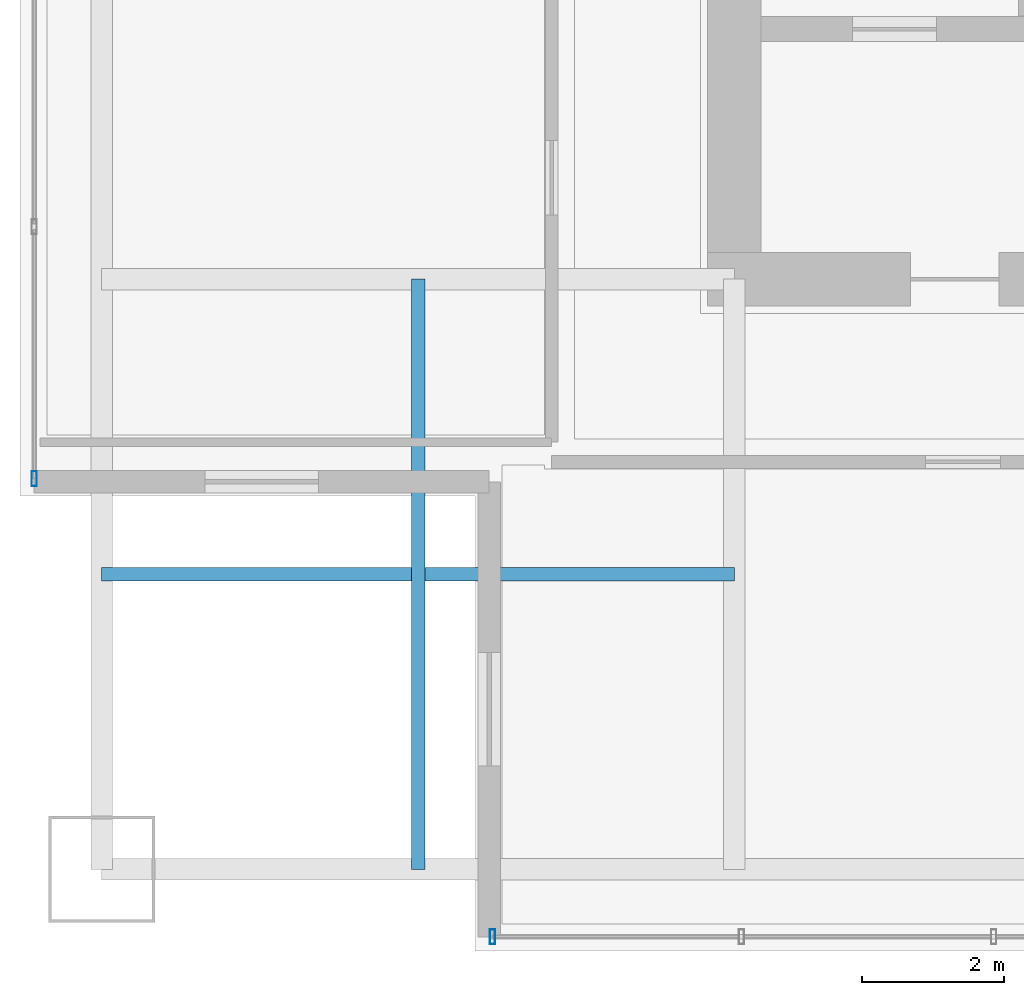
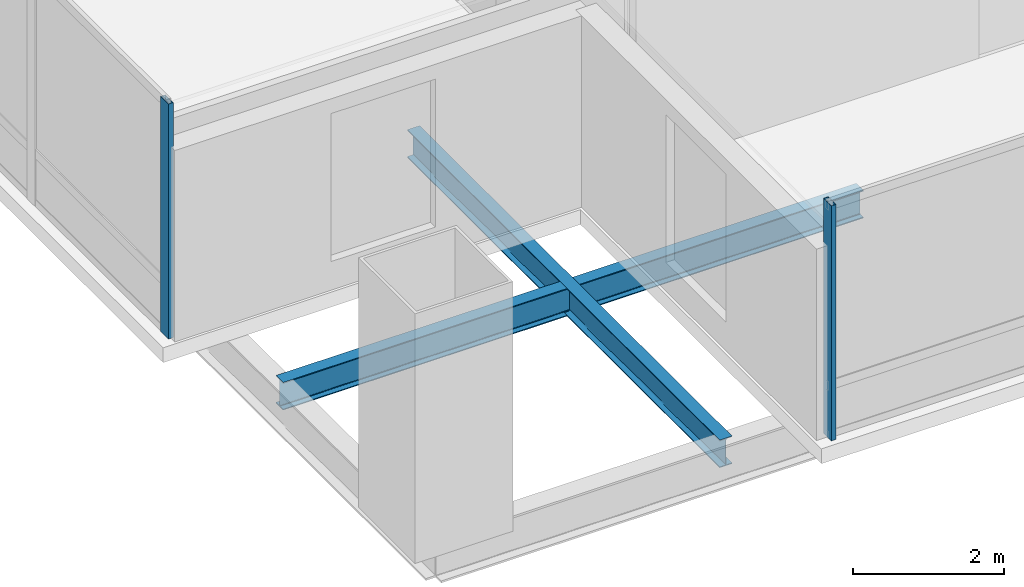
# One storey, part 2 of 34: 2 beams, 2 members, 2 elements without a shape of their own.
"""IFC4 building model written with IfcOpenShell, lengths in metres."""

from ifc_helpers import new_model, si_unit, direction, frame, origin, origin_2d, place, context, subcontext, project, spatial, hollow_rectangle, i_section, extrude, material, material_profile, profile_set, type_object, element, aggregate, save


model = new_model("IFC4")

# Units and contexts
model_context = context("Model", 3, precision=1e-05, world=origin(), true_north=direction((0.0, 1.0)))
body_context = subcontext(model_context, "Body", "Model", "MODEL_VIEW")
ifc_project = project(units=[si_unit("LENGTHUNIT", "METRE"), si_unit("AREAUNIT", "SQUARE_METRE"), si_unit("VOLUMEUNIT", "CUBIC_METRE"), si_unit("PLANEANGLEUNIT", "RADIAN"), si_unit("MASSUNIT", "GRAM", prefix="KILO")], contexts=[model_context])

# Site, building, storey
site_placement = place(None, origin())
site = spatial("IfcSite", under=ifc_project, at=site_placement, CompositionType="ELEMENT")
building_placement = place(site_placement, origin())
building = spatial("IfcBuilding", under=site, at=building_placement, Name="Punatoya Terracotta Tower", CompositionType="ELEMENT")
storey_placement = place(building_placement, frame((0.0, 0.0, 117.300048828125)))
storey = spatial("IfcBuildingStorey", under=building, at=storey_placement, Name="L27", CompositionType="ELEMENT", Elevation=117.300048828125)

# Beams
ifc_material_1 = material(Name="Steel S355", Category="steel")
ifc_material_profile_1 = material_profile(ifc_material_1, i_section(OverallWidth=0.18994140625, OverallDepth=0.449951171875, WebThickness=0.009521484375, FlangeThickness=0.0146484375, FilletRadius=0.01806640625, at=origin_2d()))
ifc_profile_set_1 = profile_set([ifc_material_profile_1], Name="Steel S355")
beam_type = type_object("IfcBeamType", Name="BM-SEC-450", PredefinedType="JOIST", material=ifc_profile_set_1)
beam_1_placement = place(storey_placement, frame((-19.10009765625, -13.35009765625, -0.465087890625), z_axis=(1.0, 0.0, 0.0), x_axis=(0.0, 1.0, 0.0)))
element("IfcBeam", 1, at=beam_1_placement, inside=storey, type_object=beam_type, Name="BM-L27-SJS-1", PredefinedType="JOIST", context=body_context, shape_type="SweptSolid", body=[
    extrude(i_section(OverallWidth=0.18994140625, OverallDepth=0.449951171875, WebThickness=0.009521484375, FlangeThickness=0.0146484375, FilletRadius=0.01806640625, at=origin_2d()), origin(), (0.0, 0.0, 1.0), 8.900146484375),
])
beam_2_placement = place(storey_placement, frame((-14.64990234375, -17.5, -0.465087890625), z_axis=(0.0, 1.0, 0.0), x_axis=(-1.0, 0.0, 0.0)))
element("IfcBeam", 2, at=beam_2_placement, inside=storey, type_object=beam_type, Name="BM-L27-SJW-1", PredefinedType="JOIST", context=body_context, shape_type="SweptSolid", body=[
    extrude(i_section(OverallWidth=0.18994140625, OverallDepth=0.449951171875, WebThickness=0.009521484375, FlangeThickness=0.0146484375, FilletRadius=0.01806640625, at=origin_2d()), origin(), (0.0, 0.0, 1.0), 8.300048828125),
])

# Curtain wall, member
ifc_material_2 = material(Name="Aluminium 6063-T6 + Double Low-E Glass", Category="aluminium")
curtain_wall_type = type_object("IfcCurtainWallType", Name="CW-M1", PredefinedType="NOTDEFINED", material=ifc_material_2)
curtain_wall_1_placement = place(storey_placement, origin())
curtain_wall_1 = element("IfcCurtainWall", 3, at=curtain_wall_1_placement, inside=storey, type_object=curtain_wall_type, Name="L27 Curtain Wall CW-L27-S01-1", PredefinedType="NOTDEFINED")
ifc_material_3 = material(Name="Aluminium 6063-T6", Category="aluminium")
ifc_material_profile_2 = material_profile(ifc_material_3, hollow_rectangle(XDim=0.074951171875, YDim=0.2099609375, WallThickness=0.00439453125, at=origin_2d()))
ifc_profile_set_2 = profile_set([ifc_material_profile_2], Name="Aluminium 6063-T6")
member_type = type_object("IfcMemberType", Name="CW-MUL-M1", PredefinedType="MULLION", material=ifc_profile_set_2)
member_1_placement = place(storey_placement, frame((-13.60498046875, -18.449951171875, 0.0), z_axis=(0.0, 0.0, 1.0), x_axis=(1.0, 0.0, 0.0)))
member_1 = element("IfcMember", 4, at=member_1_placement, type_object=member_type, Name="CW-L27-S01-1 Mullion 00", PredefinedType="MULLION", context=body_context, shape_type="SweptSolid", body=[
    extrude(hollow_rectangle(XDim=0.074951171875, YDim=0.2099609375, WallThickness=0.00439453125, at=origin_2d()), origin(), (0.0, 0.0, 1.0), 3.81005859375),
])
aggregate(curtain_wall_1, [member_1])

curtain_wall_2_placement = place(storey_placement, origin())
curtain_wall_2 = element("IfcCurtainWall", 5, at=curtain_wall_2_placement, inside=storey, type_object=curtain_wall_type, Name="L27 Curtain Wall CW-L27-W12-1", PredefinedType="NOTDEFINED")
member_2_placement = place(storey_placement, frame((-20.050048828125, -12.0048828125, 0.0), z_axis=(0.0, 0.0, 1.0), x_axis=(1.0, 0.0, 0.0)))
member_2 = element("IfcMember", 6, at=member_2_placement, type_object=member_type, Name="CW-L27-W12-1 Mullion 09", PredefinedType="MULLION", context=body_context, shape_type="SweptSolid", body=[
    extrude(hollow_rectangle(XDim=0.074951171875, YDim=0.2099609375, WallThickness=0.00439453125, at=origin_2d()), origin(), (0.0, 0.0, 1.0), 3.81005859375),
])
aggregate(curtain_wall_2, [member_2])

save(model, "model.ifc")
